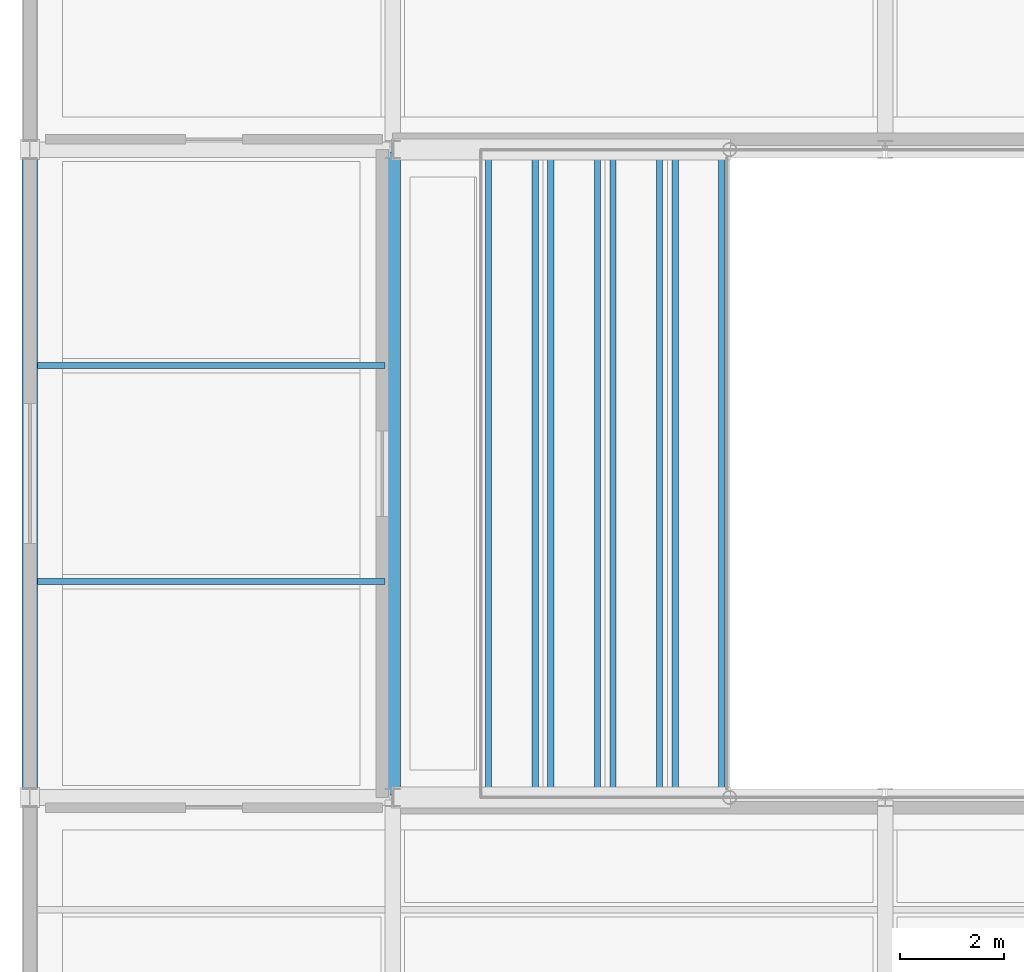
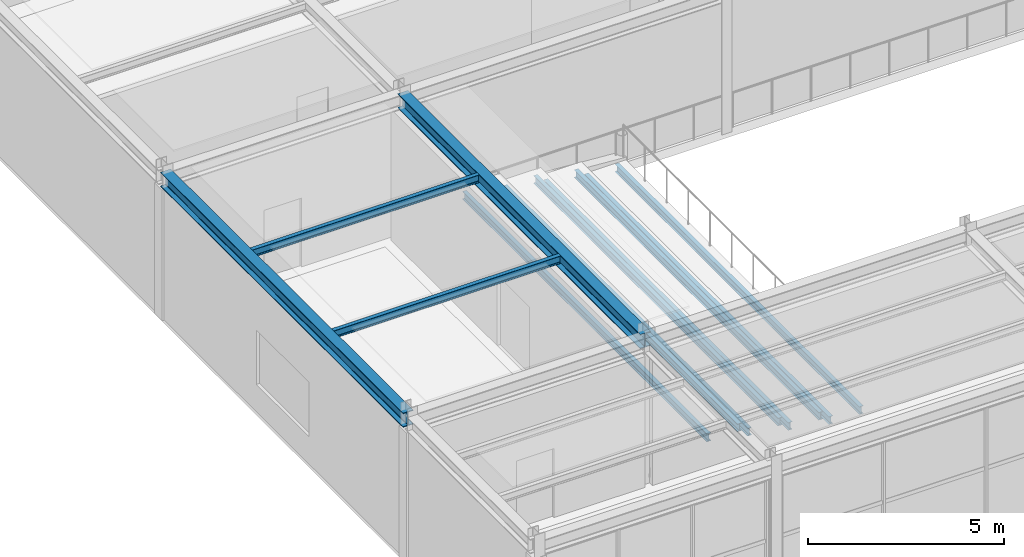
# One storey, part 15 of 100: 12 beams.
"""IFC4 building model written with IfcOpenShell, lengths in metres."""

from ifc_helpers import new_model, si_unit, direction, frame, origin, origin_2d, place, context, subcontext, project, spatial, i_section, extrude, material, material_profile, profile_set, type_object, element, save


model = new_model("IFC4")

# Units and contexts
model_context = context("Model", 3, precision=1e-05, world=origin(), true_north=direction((0.0, 1.0)))
body_context = subcontext(model_context, "Body", "Model", "MODEL_VIEW")
ifc_project = project(units=[si_unit("LENGTHUNIT", "METRE"), si_unit("AREAUNIT", "SQUARE_METRE"), si_unit("VOLUMEUNIT", "CUBIC_METRE"), si_unit("PLANEANGLEUNIT", "RADIAN"), si_unit("MASSUNIT", "GRAM", prefix="KILO")], contexts=[model_context])

# Site, building, storey
site_placement = place(None, origin())
site = spatial("IfcSite", under=ifc_project, at=site_placement, CompositionType="ELEMENT")
building_placement = place(site_placement, origin())
building = spatial("IfcBuilding", under=site, at=building_placement, Name="Tarnveldt Headland Concert Hall", CompositionType="ELEMENT")
storey_placement = place(building_placement, frame((0.0, 0.0, 4.800048828125)))
storey = spatial("IfcBuildingStorey", under=building, at=storey_placement, Name="L01", CompositionType="ELEMENT", Elevation=4.800048828125)

# Beams
ifc_material = material(Name="Steel S355", Category="steel")
ifc_material_profile_1 = material_profile(ifc_material, i_section(OverallWidth=0.300048828125, OverallDepth=0.449951171875, WebThickness=0.013916015625, FlangeThickness=0.02587890625, FilletRadius=0.027099609375, at=origin_2d()), Name="HEB450", Category="steel")
ifc_profile_set_1 = profile_set([ifc_material_profile_1], Name="Steel S355")
beam_type_1 = type_object("IfcBeamType", Name="SB-HEB450", PredefinedType="BEAM", material=ifc_profile_set_1)
for number, where, z_axis, x_axis, name in (
    (1, (7.5, 11.550048828125, 4.31494140625), (0.0, 1.0, 0.0), (-1.0, 0.0, 0.0), "Framing beam L01-883"),
    (2, (14.5, 11.550048828125, 4.31494140625), (0.0, 1.0, 0.0), (-1.0, 0.0, 0.0), "Framing beam L01-892"),
):
    element("IfcBeam", number, at=place(storey_placement, frame(where, z_axis=z_axis, x_axis=x_axis)), inside=storey, type_object=beam_type_1, Name=name, PredefinedType="BEAM", context=body_context, shape_type="SweptSolid", body=[
        extrude(i_section(OverallWidth=0.300048828125, OverallDepth=0.449951171875, WebThickness=0.013916015625, FlangeThickness=0.02587890625, FilletRadius=0.027099609375, at=origin_2d()), origin(), (0.0, 0.0, 1.0), 12.39990234375),
    ])
ifc_material_profile_2 = material_profile(ifc_material, i_section(OverallWidth=0.1201171875, OverallDepth=0.239990234375, WebThickness=0.006103515625, FlangeThickness=0.009765625, FilletRadius=0.014892578125, at=origin_2d()), Name="IPE240", Category="steel")
ifc_profile_set_2 = profile_set([ifc_material_profile_2], Name="Steel S355")
beam_type_2 = type_object("IfcBeamType", Name="SB-IPE240", PredefinedType="JOIST", material=ifc_profile_set_2)
for number, where, z_axis, x_axis, name in (
    (3, (19.949951171875, 11.5, -0.06005859375), (0.0, 1.0, 0.0), (-1.0, 0.0, 0.0), "Chamber tier support beam 1A"),
    (4, (20.85009765625, 11.5, -0.06005859375), (0.0, 1.0, 0.0), (-1.0, 0.0, 0.0), "Chamber tier support beam 1B"),
    (5, (18.75, 11.5, 0.179931640625), (0.0, 1.0, 0.0), (-1.0, 0.0, 0.0), "Chamber tier support beam 2A"),
    (6, (19.64990234375, 11.5, 0.179931640625), (0.0, 1.0, 0.0), (-1.0, 0.0, 0.0), "Chamber tier support beam 2B"),
    (7, (17.550048828125, 11.5, 0.419921875), (0.0, 1.0, 0.0), (-1.0, 0.0, 0.0), "Chamber tier support beam 3A"),
    (8, (18.449951171875, 11.5, 0.419921875), (0.0, 1.0, 0.0), (-1.0, 0.0, 0.0), "Chamber tier support beam 3B"),
    (9, (16.35009765625, 11.5, 0.659912109375), (0.0, 1.0, 0.0), (-1.0, 0.0, 0.0), "Chamber tier support beam 4A"),
    (10, (17.25, 11.5, 0.659912109375), (0.0, 1.0, 0.0), (-1.0, 0.0, 0.0), "Chamber tier support beam 4B"),
):
    element("IfcBeam", number, at=place(storey_placement, frame(where, z_axis=z_axis, x_axis=x_axis)), inside=storey, type_object=beam_type_2, Name=name, PredefinedType="JOIST", context=body_context, shape_type="SweptSolid", body=[
        extrude(i_section(OverallWidth=0.1201171875, OverallDepth=0.239990234375, WebThickness=0.006103515625, FlangeThickness=0.009765625, FilletRadius=0.014892578125, at=origin_2d()), origin(), (0.0, 0.0, 1.0), 12.5),
    ])
for number, where, z_axis, x_axis, name in (
    (11, (7.64990234375, 15.6669921875, 4.419921875), (1.0, 0.0, 0.0), (0.0, 1.0, 0.0), "Framing beam L01-884"),
    (12, (7.64990234375, 19.8330078125, 4.419921875), (1.0, 0.0, 0.0), (0.0, 1.0, 0.0), "Framing beam L01-885"),
):
    element("IfcBeam", number, at=place(storey_placement, frame(where, z_axis=z_axis, x_axis=x_axis)), inside=storey, type_object=beam_type_2, Name=name, PredefinedType="JOIST", context=body_context, shape_type="SweptSolid", body=[
        extrude(i_section(OverallWidth=0.1201171875, OverallDepth=0.239990234375, WebThickness=0.006103515625, FlangeThickness=0.009765625, FilletRadius=0.014892578125, at=origin_2d()), origin(), (0.0, 0.0, 1.0), 6.7001953125),
    ])

save(model, "model.ifc")
